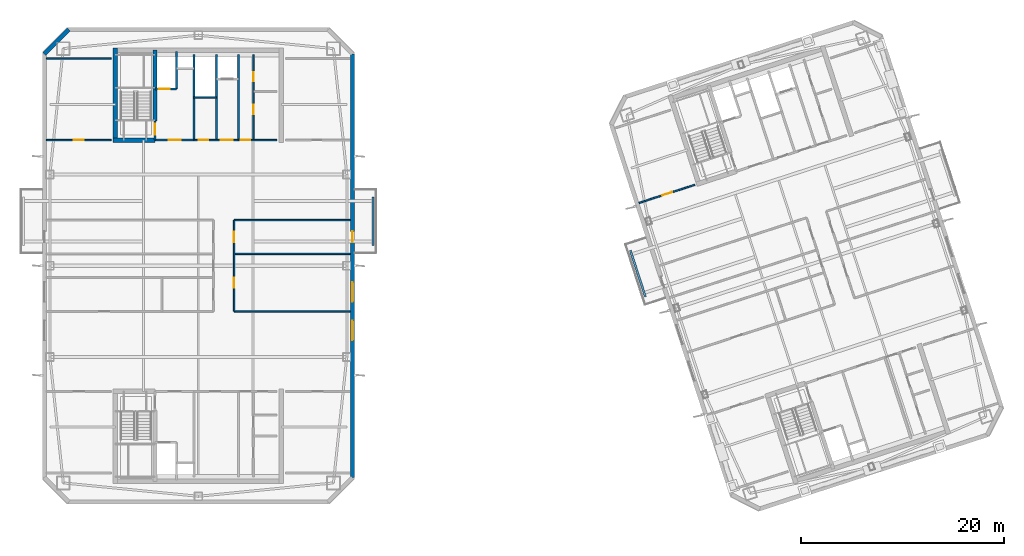
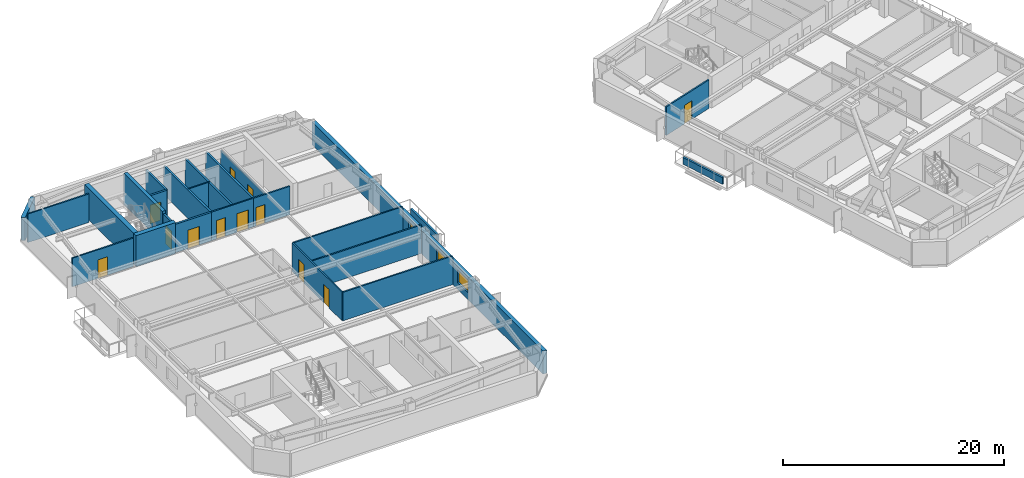
# One storey, part 7 of 18: 25 walls, 13 doors, 2 windows, 15 openings.
"""IFC4 building model written with IfcOpenShell, lengths in metres."""

from ifc_helpers import new_model, si_unit, direction, frame, frame_2d, origin, place, context, subcontext, project, spatial, rectangle, extrude, material, layer, layer_set, type_object, element, fill, save


model = new_model("IFC4")

# Units and contexts
model_context = context("Model", 3, precision=1e-05, world=origin(), true_north=direction((0.0, 1.0)))
body_context = subcontext(model_context, "Body", "Model", "MODEL_VIEW")
ifc_project = project(units=[si_unit("LENGTHUNIT", "METRE"), si_unit("AREAUNIT", "SQUARE_METRE"), si_unit("VOLUMEUNIT", "CUBIC_METRE"), si_unit("PLANEANGLEUNIT", "RADIAN"), si_unit("MASSUNIT", "GRAM", prefix="KILO")], contexts=[model_context])

# Site, building, storey
site_placement = place(None, origin())
site = spatial("IfcSite", under=ifc_project, at=site_placement, CompositionType="ELEMENT")
building_placement = place(site_placement, origin())
building = spatial("IfcBuilding", under=site, at=building_placement, Name="Qiaolan Cultural Towers", CompositionType="ELEMENT")
storey_placement = place(building_placement, frame((0.0, 0.0, 226.550048828125)))
storey = spatial("IfcBuildingStorey", under=building, at=storey_placement, Name="L61", CompositionType="ELEMENT", Elevation=226.550048828125)

# Walls
ifc_material_1 = material(Name="Concrete C50", Category="concrete")
ifc_layer_1 = layer(ifc_material_1, 0.35009765625)
ifc_layer_set_1 = layer_set([ifc_layer_1], Name="Concrete C50")
wall_type_1 = type_object("IfcWallType", Name="WL-CORE-350", PredefinedType="SHEAR", material=ifc_layer_set_1)
wall_1_placement = place(storey_placement, frame((25.719970703125, 48.300048828125, 0.0), z_axis=(0.0, 0.0, 1.0), x_axis=(0.0, 1.0, 0.0)))
element("IfcWall", 1, at=wall_1_placement, inside=storey, type_object=wall_type_1, Name="L61 T1-CN Stair Core Dividing Web", PredefinedType="SHEAR", context=body_context, shape_type="SweptSolid", body=[
    extrude(rectangle(XDim=6.97998046875, YDim=0.35009765625, at=frame_2d((3.489990234375, 0.0))), origin(), (0.0, 0.0, 1.0), 3.449951171875),
])
ifc_material_2 = material(Name="Concrete C50", Category="concrete")
ifc_layer_2 = layer(ifc_material_2, 0.449951171875)
ifc_layer_set_2 = layer_set([ifc_layer_2], Name="Concrete C50")
wall_type_2 = type_object("IfcWallType", Name="WL-CORE-450", PredefinedType="SHEAR", material=ifc_layer_set_2)
wall_2_placement = place(storey_placement, frame((21.800048828125, 46.175048828125, 0.0), z_axis=(0.0, 0.0, 1.0), x_axis=(0.0, 1.0, 0.0)))
element("IfcWall", 2, at=wall_2_placement, inside=storey, type_object=wall_type_2, Name="L61 T1-CN West Core Shear Wall", PredefinedType="SHEAR", context=body_context, shape_type="SweptSolid", body=[
    extrude(rectangle(XDim=9.329833984375, YDim=0.449951171875, at=frame_2d((4.6650390625, 0.0))), origin(), (0.0, 0.0, 1.0), 3.449951171875),
])
wall_3_placement = place(storey_placement, frame((21.574951171875, 46.39990234375, 0.0), z_axis=(0.0, 0.0, 1.0), x_axis=(1.0, 0.0, 0.0)))
element("IfcWall", 3, at=wall_3_placement, inside=storey, type_object=wall_type_2, Name="L61 T1-CN Stair Front Shear Wall", PredefinedType="SHEAR", context=body_context, shape_type="SweptSolid", body=[
    extrude(rectangle(XDim=4.14501953125, YDim=0.449951171875, at=frame_2d((2.072509765625, 0.0))), origin(), (0.0, 0.0, 1.0), 3.449951171875),
])
ifc_material_3 = material(Name="Precast Concrete C50 Honed Stone Pier", Category="masonry")
ifc_layer_3 = layer(ifc_material_3, 0.39990234375)
ifc_layer_set_3 = layer_set([ifc_layer_3], Name="Precast Concrete C50 Honed Stone Pier")
wall_type_3 = type_object("IfcWallType", Name="WL-EXT-PIER-400", PredefinedType="SOLIDWALL", material=ifc_layer_set_3)
wall_4_placement = place(storey_placement, frame((14.800048828125, 54.89990234375, 0.0), z_axis=(0.0, 0.0, 1.0), x_axis=(0.707070815327, 0.707142745217, 0.0)))
element("IfcWall", 4, at=wall_4_placement, inside=storey, type_object=wall_type_3, Name="L61 West Tower Precast Pier Facade Wall F2", PredefinedType="SOLIDWALL", context=body_context, shape_type="SweptSolid", body=[
    extrude(rectangle(XDim=3.39404296875, YDim=0.39990234375, at=frame_2d((1.697021484375, 0.0))), origin(), (0.0, 0.0, 1.0), 2.550048828125),
])

# Wall, openings, door, windows
wall_5_placement = place(storey_placement, frame((45.199951171875, 54.89990234375, 0.0), z_axis=(0.0, 0.0, 1.0), x_axis=(0.0, -1.0, 0.0)))
wall_5 = element("IfcWall", 5, at=wall_5_placement, inside=storey, type_object=wall_type_3, Name="L61 West Tower Precast Pier Facade Wall F5", PredefinedType="SOLIDWALL", context=body_context, shape_type="SweptSolid", body=[
    extrude(rectangle(XDim=41.7998046875, YDim=0.39990234375, at=frame_2d((20.89990234375, 0.0))), origin(), (0.0, 0.0, 1.0), 2.550048828125),
])
opening_1_placement = place(wall_5_placement, frame((26.324951171875, 0.0, 0.75)))
opening_1 = element("IfcOpeningElement", 6, at=opening_1_placement, cuts=wall_5, Name="Opening W-06", PredefinedType="OPENING", context=body_context, shape_type="SweptSolid", body=[
    extrude(rectangle(XDim=1.949951171875, YDim=1.39990234375, at=frame_2d((0.97509765625, 0.699951171875))), frame((0.0, 0.2099609375, 0.0), z_axis=(0.0, -1.0, 0.0), x_axis=(1.0, 0.0, 0.0)), (0.0, 0.0, 1.0), 0.419921875),
])
opening_2_placement = place(wall_5_placement, frame((22.52490234375, 0.0, 0.75)))
opening_2 = element("IfcOpeningElement", 7, at=opening_2_placement, cuts=wall_5, Name="Opening W-06", PredefinedType="OPENING", context=body_context, shape_type="SweptSolid", body=[
    extrude(rectangle(XDim=1.949951171875, YDim=1.39990234375, at=frame_2d((0.97509765625, 0.699951171875))), frame((0.0, 0.2099609375, 0.0), z_axis=(0.0, -1.0, 0.0), x_axis=(1.0, 0.0, 0.0)), (0.0, 0.0, 1.0), 0.419921875),
])
opening_3_placement = place(wall_5_placement, frame((17.5, 0.0, 0.0)))
opening_3 = element("IfcOpeningElement", 8, at=opening_3_placement, cuts=wall_5, Name="Opening BD-01", PredefinedType="OPENING", context=body_context, shape_type="SweptSolid", body=[
    extrude(rectangle(XDim=1.10009765625, YDim=2.14990234375, at=frame_2d((0.550048828125, 1.074951171875))), frame((0.0, 0.2099609375, 0.0), z_axis=(0.0, -1.0, 0.0), x_axis=(1.0, 0.0, 0.0)), (0.0, 0.0, 1.0), 0.419921875),
])
ifc_material_4 = material(Name="Thermally Broken Aluminium Glazed Terrace Door", Category="aluminium")
door_type_1 = type_object("IfcDoorType", Name="DR-BAL-1100", OperationType="NOTDEFINED", PredefinedType="DOOR", material=ifc_material_4)
door_1_placement = place(opening_3_placement, origin())
door_1 = element("IfcDoor", 9, at=door_1_placement, inside=storey, type_object=door_type_1, Name="L61 T1 East Tree Balcony Door", OperationType="SINGLE_SWING_RIGHT", OverallHeight=2.14990234375, OverallWidth=1.10009765625, PredefinedType="DOOR", context=body_context, shape_type="SweptSolid", body=[
    extrude(rectangle(XDim=1.10009765625, YDim=2.14990234375, at=frame_2d((0.550048828125, 1.074951171875))), frame((0.0, 0.02490234375, 0.0), z_axis=(0.0, -1.0, 0.0), x_axis=(1.0, 0.0, 0.0)), (0.0, 0.0, 1.0), 0.050048828125),
])
fill(opening_3, door_1)
ifc_material_5 = material(Name="Thermally Broken Aluminium Triple Low-E Glazing", Category="aluminium")
window_type = type_object("IfcWindowType", Name="WN-CHIC-1950", PartitioningType="SINGLE_PANEL", PredefinedType="WINDOW", material=ifc_material_5)
window_1_placement = place(opening_1_placement, origin())
window_1 = element("IfcWindow", 10, at=window_1_placement, inside=storey, type_object=window_type, Name="L61 T1 E Chicago Bay Window 1", OverallHeight=1.39990234375, OverallWidth=1.949951171875, PartitioningType="TRIPLE_PANEL_VERTICAL", PredefinedType="WINDOW", context=body_context, shape_type="SweptSolid", body=[
    extrude(rectangle(XDim=1.949951171875, YDim=1.39990234375, at=frame_2d((0.97509765625, 0.699951171875))), frame((0.0, 0.030029296875, 0.0), z_axis=(0.0, -1.0, 0.0), x_axis=(1.0, 0.0, 0.0)), (0.0, 0.0, 1.0), 0.06005859375),
])
fill(opening_1, window_1)
window_2_placement = place(opening_2_placement, origin())
window_2 = element("IfcWindow", 11, at=window_2_placement, inside=storey, type_object=window_type, Name="L61 T1 E Chicago Bay Window 2", OverallHeight=1.39990234375, OverallWidth=1.949951171875, PartitioningType="TRIPLE_PANEL_VERTICAL", PredefinedType="WINDOW", context=body_context, shape_type="SweptSolid", body=[
    extrude(rectangle(XDim=1.949951171875, YDim=1.39990234375, at=frame_2d((0.97509765625, 0.699951171875))), frame((0.0, 0.030029296875, 0.0), z_axis=(0.0, -1.0, 0.0), x_axis=(1.0, 0.0, 0.0)), (0.0, 0.0, 1.0), 0.06005859375),
])
fill(opening_2, window_2)

# Wall, opening, door
ifc_material_6 = material(Name="Concrete C35 Fire Wall", Category="concrete")
ifc_layer_4 = layer(ifc_material_6, 0.199951171875)
ifc_layer_set_4 = layer_set([ifc_layer_4], Name="Concrete C35 Fire Wall")
wall_type_4 = type_object("IfcWallType", Name="WL-FIRE-200", PredefinedType="PARTITIONING", material=ifc_layer_set_4)
wall_6_placement = place(storey_placement, frame((25.719970703125, 46.39990234375, 0.0), z_axis=(0.0, 0.0, 1.0), x_axis=(0.0, 1.0, 0.0)))
wall_6 = element("IfcWall", 12, at=wall_6_placement, inside=storey, type_object=wall_type_4, Name="L61 T1-CN Smokeproof Stair Entry Wall", PredefinedType="PARTITIONING", context=body_context, shape_type="SweptSolid", body=[
    extrude(rectangle(XDim=1.900146484375, YDim=0.199951171875, at=frame_2d((0.9501953125, 0.0))), origin(), (0.0, 0.0, 1.0), 3.155029296875),
])
opening_4_placement = place(wall_6_placement, frame((0.52001953125, 0.0, 0.0)))
opening_4 = element("IfcOpeningElement", 13, at=opening_4_placement, cuts=wall_6, Name="Opening FD-04", PredefinedType="OPENING", context=body_context, shape_type="SweptSolid", body=[
    extrude(rectangle(XDim=1.10009765625, YDim=2.050048828125, at=frame_2d((0.550048828125, 1.02490234375))), frame((0.0, 0.10986328125, 0.0), z_axis=(0.0, -1.0, 0.0), x_axis=(1.0, 0.0, 0.0)), (0.0, 0.0, 1.0), 0.219970703125),
])
ifc_material_7 = material(Name="Galvanized Steel Command Fire Door", Category="steel")
door_type_2 = type_object("IfcDoorType", Name="DR-FD90-1100", OperationType="NOTDEFINED", PredefinedType="DOOR", material=ifc_material_7)
door_2_placement = place(opening_4_placement, origin())
door_2 = element("IfcDoor", 14, at=door_2_placement, inside=storey, type_object=door_type_2, Name="L61 ST-W2 Smokeproof Stair Fire Door", OperationType="SINGLE_SWING_LEFT", OverallHeight=2.050048828125, OverallWidth=1.10009765625, PredefinedType="DOOR", context=body_context, shape_type="SweptSolid", body=[
    extrude(rectangle(XDim=1.10009765625, YDim=2.050048828125, at=frame_2d((0.550048828125, 1.02490234375))), frame((0.0, 0.02490234375, 0.0), z_axis=(0.0, -1.0, 0.0), x_axis=(1.0, 0.0, 0.0)), (0.0, 0.0, 1.0), 0.050048828125),
])
fill(opening_4, door_2)

# Wall
wall_7_placement = place(storey_placement, frame((29.550048828125, 46.39990234375, 0.0), z_axis=(0.0, 0.0, 1.0), x_axis=(0.0, 1.0, 0.0)))
element("IfcWall", 15, at=wall_7_placement, inside=storey, type_object=wall_type_4, Name="L61 T1-CN Firefighting Zone Wall", PredefinedType="PARTITIONING", context=body_context, shape_type="SweptSolid", body=[
    extrude(rectangle(XDim=8.43017578125, YDim=0.199951171875, at=frame_2d((4.215087890625, 0.0))), origin(), (0.0, 0.0, 1.0), 3.155029296875),
])

# Wall, opening, door
wall_8_placement = place(storey_placement, frame((25.719970703125, 46.39990234375, 0.0), z_axis=(0.0, 0.0, 1.0), x_axis=(1.0, 0.0, 0.0)))
wall_8 = element("IfcWall", 16, at=wall_8_placement, inside=storey, type_object=wall_type_4, Name="L61 T1-CN Firefighting Lobby Front Wall", PredefinedType="PARTITIONING", context=body_context, shape_type="SweptSolid", body=[
    extrude(rectangle(XDim=3.830078125, YDim=0.199951171875, at=frame_2d((1.9150390625, 0.0))), origin(), (0.0, 0.0, 1.0), 3.155029296875),
])
opening_5_placement = place(wall_8_placement, frame((1.35009765625, 0.0, 0.0)))
opening_5 = element("IfcOpeningElement", 17, at=opening_5_placement, cuts=wall_8, Name="Opening FD-03", PredefinedType="OPENING", context=body_context, shape_type="SweptSolid", body=[
    extrude(rectangle(XDim=1.199951171875, YDim=2.050048828125, at=frame_2d((0.60009765625, 1.02490234375))), frame((0.0, 0.10986328125, 0.0), z_axis=(0.0, -1.0, 0.0), x_axis=(1.0, 0.0, 0.0)), (0.0, 0.0, 1.0), 0.219970703125),
])
ifc_material_8 = material(Name="Galvanized Steel Smokeproof Lobby Fire Door", Category="steel")
door_type_3 = type_object("IfcDoorType", Name="DR-FD90-1200", OperationType="NOTDEFINED", PredefinedType="DOOR", material=ifc_material_8)
door_3_placement = place(opening_5_placement, origin())
door_3 = element("IfcDoor", 18, at=door_3_placement, inside=storey, type_object=door_type_3, Name="L61 FFL-W2 Firefighting Lobby Fire Door", OperationType="SINGLE_SWING_LEFT", OverallHeight=2.050048828125, OverallWidth=1.199951171875, PredefinedType="DOOR", context=body_context, shape_type="SweptSolid", body=[
    extrude(rectangle(XDim=1.199951171875, YDim=2.050048828125, at=frame_2d((0.60009765625, 1.02490234375))), frame((0.0, 0.02490234375, 0.0), z_axis=(0.0, -1.0, 0.0), x_axis=(1.0, 0.0, 0.0)), (0.0, 0.0, 1.0), 0.050048828125),
])
fill(opening_5, door_3)

wall_9_placement = place(storey_placement, frame((25.719970703125, 51.449951171875, 0.0), z_axis=(0.0, 0.0, 1.0), x_axis=(1.0, 0.0, 0.0)))
wall_9 = element("IfcWall", 19, at=wall_9_placement, inside=storey, type_object=wall_type_4, Name="L61 T1-CN Firefighting Shaft Front Wall", PredefinedType="PARTITIONING", context=body_context, shape_type="SweptSolid", body=[
    extrude(rectangle(XDim=2.10009765625, YDim=0.199951171875, at=frame_2d((1.050048828125, 0.0))), origin(), (0.0, 0.0, 1.0), 3.155029296875),
])
opening_6_placement = place(wall_9_placement, frame((0.35009765625, 0.0, 0.0)))
opening_6 = element("IfcOpeningElement", 20, at=opening_6_placement, cuts=wall_9, Name="Opening LD-01", PredefinedType="OPENING", context=body_context, shape_type="SweptSolid", body=[
    extrude(rectangle(XDim=1.10009765625, YDim=2.050048828125, at=frame_2d((0.550048828125, 1.02490234375))), frame((0.0, 0.10986328125, 0.0), z_axis=(0.0, -1.0, 0.0), x_axis=(1.0, 0.0, 0.0)), (0.0, 0.0, 1.0), 0.219970703125),
])
ifc_material_9 = material(Name="Brushed Stainless Steel S30408 Centre-Parting Lift Landing Door", Category="steel")
door_type_4 = type_object("IfcDoorType", Name="DR-LIFT-1100", OperationType="NOTDEFINED", PredefinedType="DOOR", material=ifc_material_9)
door_4_placement = place(opening_6_placement, origin())
door_4 = element("IfcDoor", 21, at=door_4_placement, inside=storey, type_object=door_type_4, Name="L61 FFL-W2 Firefighting Lift Landing Door", OperationType="DOUBLE_DOOR_SLIDING", OverallHeight=2.050048828125, OverallWidth=1.10009765625, PredefinedType="DOOR", context=body_context, shape_type="SweptSolid", body=[
    extrude(rectangle(XDim=1.10009765625, YDim=2.050048828125, at=frame_2d((0.550048828125, 1.02490234375))), frame((0.0, 0.02490234375, 0.0), z_axis=(0.0, -1.0, 0.0), x_axis=(1.0, 0.0, 0.0)), (0.0, 0.0, 1.0), 0.050048828125),
])
fill(opening_6, door_4)

# Walls
wall_10_placement = place(storey_placement, frame((27.820068359375, 51.449951171875, 0.0), z_axis=(0.0, 0.0, 1.0), x_axis=(0.0, 1.0, 0.0)))
element("IfcWall", 22, at=wall_10_placement, inside=storey, type_object=wall_type_4, Name="L61 T1-CN Firefighting Hoistway East Wall", PredefinedType="PARTITIONING", context=body_context, shape_type="SweptSolid", body=[
    extrude(rectangle(XDim=3.699951171875, YDim=0.199951171875, at=frame_2d((1.85009765625, 0.0))), origin(), (0.0, 0.0, 1.0), 3.155029296875),
])
for number, where, z_axis, x_axis, name in (
    (23, (33.949951171875, 46.39990234375, 0.0), (0.0, 0.0, 1.0), (0.0, 1.0, 0.0), "L61 T1-CN Lift Core East Wall"),
    (24, (31.780029296875, 46.39990234375, 0.0), (0.0, 0.0, 1.0), (0.0, 1.0, 0.0), "L61 T1-CN Sky Shuttle Lift Zone Wall"),
):
    element("IfcWall", number, at=place(storey_placement, frame(where, z_axis=z_axis, x_axis=x_axis)), inside=storey, type_object=wall_type_4, Name=name, PredefinedType="PARTITIONING", context=body_context, shape_type="SweptSolid", body=[
        extrude(rectangle(XDim=8.43017578125, YDim=0.199951171875, at=frame_2d((4.215087890625, 0.0))), origin(), (0.0, 0.0, 1.0), 3.155029296875),
    ])

# Wall, openings, doors
ifc_material_10 = material(Name="Autoclaved Aerated Concrete Block B06", Category="concrete")
ifc_layer_5 = layer(ifc_material_10, 0.14990234375)
ifc_layer_set_5 = layer_set([ifc_layer_5], Name="Autoclaved Aerated Concrete Block B06")
wall_type_5 = type_object("IfcWallType", Name="WL-PART-150", PredefinedType="PARTITIONING", material=ifc_layer_set_5)
wall_11_placement = place(storey_placement, frame((29.550048828125, 46.39990234375, 0.0), z_axis=(0.0, 0.0, 1.0), x_axis=(1.0, 0.0, 0.0)))
wall_11 = element("IfcWall", 25, at=wall_11_placement, inside=storey, type_object=wall_type_5, Name="L61 T1-CN High-Zone Lift Lobby Wall", PredefinedType="PARTITIONING", context=body_context, shape_type="SweptSolid", body=[
    extrude(rectangle(XDim=4.39990234375, YDim=0.14990234375, at=frame_2d((2.199951171875, 0.0))), origin(), (0.0, 0.0, 1.0), 3.155029296875),
])
opening_7_placement = place(wall_11_placement, frame((0.5, 0.0, 0.0)))
opening_7 = element("IfcOpeningElement", 26, at=opening_7_placement, cuts=wall_11, Name="Opening ID-05", PredefinedType="OPENING", context=body_context, shape_type="SweptSolid", body=[
    extrude(rectangle(XDim=0.949951171875, YDim=2.050048828125, at=frame_2d((0.47509765625, 1.02490234375))), frame((0.0, 0.0849609375, 0.0), z_axis=(0.0, -1.0, 0.0), x_axis=(1.0, 0.0, 0.0)), (0.0, 0.0, 1.0), 0.169921875),
])
opening_8_placement = place(wall_11_placement, frame((2.64990234375, 0.0, 0.0)))
opening_8 = element("IfcOpeningElement", 27, at=opening_8_placement, cuts=wall_11, Name="Opening FD-06", PredefinedType="OPENING", context=body_context, shape_type="SweptSolid", body=[
    extrude(rectangle(XDim=1.199951171875, YDim=2.050048828125, at=frame_2d((0.60009765625, 1.02490234375))), frame((0.0, 0.0849609375, 0.0), z_axis=(0.0, -1.0, 0.0), x_axis=(1.0, 0.0, 0.0)), (0.0, 0.0, 1.0), 0.169921875),
])
ifc_material_11 = material(Name="Painted Steel Plant Fire Door", Category="steel")
door_type_5 = type_object("IfcDoorType", Name="DR-FD60-1200", OperationType="NOTDEFINED", PredefinedType="DOOR", material=ifc_material_11)
door_5_placement = place(opening_8_placement, origin())
door_5 = element("IfcDoor", 28, at=door_5_placement, inside=storey, type_object=door_type_5, Name="L61 Sky Shuttle Lift Lobby Door", OperationType="SINGLE_SWING_RIGHT", OverallHeight=2.050048828125, OverallWidth=1.199951171875, PredefinedType="DOOR", context=body_context, shape_type="SweptSolid", body=[
    extrude(rectangle(XDim=1.199951171875, YDim=2.050048828125, at=frame_2d((0.60009765625, 1.02490234375))), frame((0.0, 0.02490234375, 0.0), z_axis=(0.0, -1.0, 0.0), x_axis=(1.0, 0.0, 0.0)), (0.0, 0.0, 1.0), 0.050048828125),
])
fill(opening_8, door_5)
ifc_material_12 = material(Name="Fire-Rated Laminate Accessible Core Door", Category="timber")
door_type_6 = type_object("IfcDoorType", Name="DR-INT-950", OperationType="NOTDEFINED", PredefinedType="DOOR", material=ifc_material_12)
door_6_placement = place(opening_7_placement, origin())
door_6 = element("IfcDoor", 29, at=door_6_placement, inside=storey, type_object=door_type_6, Name="L61 Reclaimed Server Room Door", OperationType="SINGLE_SWING_LEFT", OverallHeight=2.050048828125, OverallWidth=0.949951171875, PredefinedType="DOOR", context=body_context, shape_type="SweptSolid", body=[
    extrude(rectangle(XDim=0.949951171875, YDim=2.050048828125, at=frame_2d((0.47509765625, 1.02490234375))), frame((0.0, 0.02490234375, 0.0), z_axis=(0.0, -1.0, 0.0), x_axis=(1.0, 0.0, 0.0)), (0.0, 0.0, 1.0), 0.050048828125),
])
fill(opening_7, door_6)

# Wall
wall_12_placement = place(storey_placement, frame((29.550048828125, 50.60009765625, 0.0), z_axis=(0.0, 0.0, 1.0), x_axis=(1.0, 0.0, 0.0)))
element("IfcWall", 30, at=wall_12_placement, inside=storey, type_object=wall_type_5, Name="L61 T1-CN High-Zone Reclaimed Split", PredefinedType="PARTITIONING", context=body_context, shape_type="SweptSolid", body=[
    extrude(rectangle(XDim=2.22998046875, YDim=0.14990234375, at=frame_2d((1.114990234375, 0.0))), origin(), (0.0, 0.0, 1.0), 3.155029296875),
])

# Wall, opening, door
wall_13_placement = place(storey_placement, frame((33.949951171875, 46.39990234375, 0.0), z_axis=(0.0, 0.0, 1.0), x_axis=(1.0, 0.0, 0.0)))
wall_13 = element("IfcWall", 31, at=wall_13_placement, inside=storey, type_object=wall_type_5, Name="L61 T1-CN Sanitary Core Front Wall", PredefinedType="PARTITIONING", context=body_context, shape_type="SweptSolid", body=[
    extrude(rectangle(XDim=3.800048828125, YDim=0.14990234375, at=frame_2d((1.89990234375, 0.0))), origin(), (0.0, 0.0, 1.0), 3.155029296875),
])
opening_9_placement = place(wall_13_placement, frame((0.219970703125, 0.0, 0.0)))
opening_9 = element("IfcOpeningElement", 32, at=opening_9_placement, cuts=wall_13, Name="Opening ID-05", PredefinedType="OPENING", context=body_context, shape_type="SweptSolid", body=[
    extrude(rectangle(XDim=0.949951171875, YDim=2.050048828125, at=frame_2d((0.47509765625, 1.02490234375))), frame((0.0, 0.0849609375, 0.0), z_axis=(0.0, -1.0, 0.0), x_axis=(1.0, 0.0, 0.0)), (0.0, 0.0, 1.0), 0.169921875),
])
door_7_placement = place(opening_9_placement, origin())
door_7 = element("IfcDoor", 33, at=door_7_placement, inside=storey, type_object=door_type_6, Name="L61 Sanitary Lobby Door", OperationType="SINGLE_SWING_LEFT", OverallHeight=2.050048828125, OverallWidth=0.949951171875, PredefinedType="DOOR", context=body_context, shape_type="SweptSolid", body=[
    extrude(rectangle(XDim=0.949951171875, YDim=2.050048828125, at=frame_2d((0.47509765625, 1.02490234375))), frame((0.0, 0.02490234375, 0.0), z_axis=(0.0, -1.0, 0.0), x_axis=(1.0, 0.0, 0.0)), (0.0, 0.0, 1.0), 0.050048828125),
])
fill(opening_9, door_7)

# Wall, openings, doors
wall_14_placement = place(storey_placement, frame((35.449951171875, 46.39990234375, 0.0), z_axis=(0.0, 0.0, 1.0), x_axis=(0.0, 1.0, 0.0)))
wall_14 = element("IfcWall", 34, at=wall_14_placement, inside=storey, type_object=wall_type_5, Name="L61 T1-CN Washroom Split Wall", PredefinedType="PARTITIONING", context=body_context, shape_type="SweptSolid", body=[
    extrude(rectangle(XDim=8.43017578125, YDim=0.14990234375, at=frame_2d((4.215087890625, 0.0))), origin(), (0.0, 0.0, 1.0), 2.794921875),
])
opening_10_placement = place(wall_14_placement, frame((2.550048828125, 0.0, 0.0)))
opening_10 = element("IfcOpeningElement", 35, at=opening_10_placement, cuts=wall_14, Name="Opening ID-05", PredefinedType="OPENING", context=body_context, shape_type="SweptSolid", body=[
    extrude(rectangle(XDim=0.949951171875, YDim=2.050048828125, at=frame_2d((0.47509765625, 1.02490234375))), frame((0.0, 0.0849609375, 0.0), z_axis=(0.0, -1.0, 0.0), x_axis=(1.0, 0.0, 0.0)), (0.0, 0.0, 1.0), 0.169921875),
])
opening_11_placement = place(wall_14_placement, frame((5.800048828125, 0.0, 0.0)))
opening_11 = element("IfcOpeningElement", 36, at=opening_11_placement, cuts=wall_14, Name="Opening ID-06", PredefinedType="OPENING", context=body_context, shape_type="SweptSolid", body=[
    extrude(rectangle(XDim=0.89990234375, YDim=2.050048828125, at=frame_2d((0.449951171875, 1.02490234375))), frame((0.0, 0.0849609375, 0.0), z_axis=(0.0, -1.0, 0.0), x_axis=(1.0, 0.0, 0.0)), (0.0, 0.0, 1.0), 0.169921875),
])
ifc_material_13 = material(Name="Fire-Rated Laminate Core Service Door", Category="timber")
door_type_7 = type_object("IfcDoorType", Name="DR-INT-900", OperationType="NOTDEFINED", PredefinedType="DOOR", material=ifc_material_13)
door_8_placement = place(opening_11_placement, origin())
door_8 = element("IfcDoor", 37, at=door_8_placement, inside=storey, type_object=door_type_7, Name="L61 First-Aid Room Door", OperationType="SINGLE_SWING_RIGHT", OverallHeight=2.050048828125, OverallWidth=0.89990234375, PredefinedType="DOOR", context=body_context, shape_type="SweptSolid", body=[
    extrude(rectangle(XDim=0.89990234375, YDim=2.050048828125, at=frame_2d((0.449951171875, 1.02490234375))), frame((0.0, 0.02490234375, 0.0), z_axis=(0.0, -1.0, 0.0), x_axis=(1.0, 0.0, 0.0)), (0.0, 0.0, 1.0), 0.050048828125),
])
fill(opening_11, door_8)
door_9_placement = place(opening_10_placement, origin())
door_9 = element("IfcDoor", 38, at=door_9_placement, inside=storey, type_object=door_type_6, Name="L61 Accessible Washroom Door", OperationType="SINGLE_SWING_LEFT", OverallHeight=2.050048828125, OverallWidth=0.949951171875, PredefinedType="DOOR", context=body_context, shape_type="SweptSolid", body=[
    extrude(rectangle(XDim=0.949951171875, YDim=2.050048828125, at=frame_2d((0.47509765625, 1.02490234375))), frame((0.0, 0.02490234375, 0.0), z_axis=(0.0, -1.0, 0.0), x_axis=(1.0, 0.0, 0.0)), (0.0, 0.0, 1.0), 0.050048828125),
])
fill(opening_10, door_9)

# Wall
wall_15_placement = place(storey_placement, frame((15.0, 54.449951171875, 0.0), z_axis=(0.0, 0.0, 1.0), x_axis=(1.0, 0.0, 0.0)))
element("IfcWall", 39, at=wall_15_placement, inside=storey, type_object=wall_type_5, Name="L61 T1 Flank Wall FLK-NW", PredefinedType="PARTITIONING", context=body_context, shape_type="SweptSolid", body=[
    extrude(rectangle(XDim=6.39990234375, YDim=0.14990234375, at=frame_2d((3.199951171875, 0.0))), origin(), (0.0, 0.0, 1.0), 3.155029296875),
])

# Wall, opening, door
wall_16_placement = place(storey_placement, frame((15.0, 46.39990234375, 0.0), z_axis=(0.0, 0.0, 1.0), x_axis=(1.0, 0.0, 0.0)))
wall_16 = element("IfcWall", 40, at=wall_16_placement, inside=storey, type_object=wall_type_5, Name="L61 T1 Flank Front FLK-NW", PredefinedType="PARTITIONING", context=body_context, shape_type="SweptSolid", body=[
    extrude(rectangle(XDim=6.39990234375, YDim=0.14990234375, at=frame_2d((3.199951171875, 0.0))), origin(), (0.0, 0.0, 1.0), 3.155029296875),
])
opening_12_placement = place(wall_16_placement, frame((2.68798828125, 0.0, 0.0)))
opening_12 = element("IfcOpeningElement", 41, at=opening_12_placement, cuts=wall_16, Name="Opening ID-04", PredefinedType="OPENING", context=body_context, shape_type="SweptSolid", body=[
    extrude(rectangle(XDim=1.0, YDim=2.050048828125, at=frame_2d((0.5, 1.02490234375))), frame((0.0, 0.0849609375, 0.0), z_axis=(0.0, -1.0, 0.0), x_axis=(1.0, 0.0, 0.0)), (0.0, 0.0, 1.0), 0.169921875),
])
ifc_material_14 = material(Name="Oak Veneer Acoustic Office Door", Category="timber")
door_type_8 = type_object("IfcDoorType", Name="DR-INT-1000", OperationType="NOTDEFINED", PredefinedType="DOOR", material=ifc_material_14)
door_10_placement = place(opening_12_placement, origin())
door_10 = element("IfcDoor", 42, at=door_10_placement, inside=storey, type_object=door_type_8, Name="L61 T1 Corner Studio Door", OperationType="SINGLE_SWING_LEFT", OverallHeight=2.050048828125, OverallWidth=1.0, PredefinedType="DOOR", context=body_context, shape_type="SweptSolid", body=[
    extrude(rectangle(XDim=1.0, YDim=2.050048828125, at=frame_2d((0.5, 1.02490234375))), frame((0.0, 0.02490234375, 0.0), z_axis=(0.0, -1.0, 0.0), x_axis=(1.0, 0.0, 0.0)), (0.0, 0.0, 1.0), 0.050048828125),
])
fill(opening_12, door_10)

# Walls
for number, where, z_axis, x_axis, name in (
    (43, (33.52490234375, 29.5, 0.0), (0.0, 0.0, 1.0), (1.0, 0.0, 0.0), "L61 T1 South Foyer East Wall"),
    (44, (33.52490234375, 38.5, 0.0), (0.0, 0.0, 1.0), (1.0, 0.0, 0.0), "L61 T1 North Foyer East Wall"),
):
    element("IfcWall", number, at=place(storey_placement, frame(where, z_axis=z_axis, x_axis=x_axis)), inside=storey, type_object=wall_type_5, Name=name, PredefinedType="PARTITIONING", context=body_context, shape_type="SweptSolid", body=[
        extrude(rectangle(XDim=11.47509765625, YDim=0.14990234375, at=frame_2d((5.737548828125, 0.0))), origin(), (0.0, 0.0, 1.0), 3.155029296875),
    ])

# Wall, openings, doors
wall_17_placement = place(storey_placement, frame((33.52490234375, 29.5, 0.0), z_axis=(0.0, 0.0, 1.0), x_axis=(0.0, 1.0, 0.0)))
wall_17 = element("IfcWall", 45, at=wall_17_placement, inside=storey, type_object=wall_type_5, Name="L61 T1 Central Spine East Wall", PredefinedType="PARTITIONING", context=body_context, shape_type="SweptSolid", body=[
    extrude(rectangle(XDim=9.0, YDim=0.14990234375, at=frame_2d((4.5, 0.0))), origin(), (0.0, 0.0, 1.0), 3.155029296875),
])
opening_13_placement = place(wall_17_placement, frame((2.3349609375, 0.0, 0.0)))
opening_13 = element("IfcOpeningElement", 46, at=opening_13_placement, cuts=wall_17, Name="Opening ID-04", PredefinedType="OPENING", context=body_context, shape_type="SweptSolid", body=[
    extrude(rectangle(XDim=1.0, YDim=2.050048828125, at=frame_2d((0.5, 1.02490234375))), frame((0.0, 0.0849609375, 0.0), z_axis=(0.0, -1.0, 0.0), x_axis=(1.0, 0.0, 0.0)), (0.0, 0.0, 1.0), 0.169921875),
])
opening_14_placement = place(wall_17_placement, frame((6.8349609375, 0.0, 0.0)))
opening_14 = element("IfcOpeningElement", 47, at=opening_14_placement, cuts=wall_17, Name="Opening ID-04", PredefinedType="OPENING", context=body_context, shape_type="SweptSolid", body=[
    extrude(rectangle(XDim=1.0, YDim=2.050048828125, at=frame_2d((0.5, 1.02490234375))), frame((0.0, 0.0849609375, 0.0), z_axis=(0.0, -1.0, 0.0), x_axis=(1.0, 0.0, 0.0)), (0.0, 0.0, 1.0), 0.169921875),
])
door_11_placement = place(opening_13_placement, origin())
door_11 = element("IfcDoor", 48, at=door_11_placement, inside=storey, type_object=door_type_8, Name="L61 T1 Board Conference Room Door", OperationType="SINGLE_SWING_RIGHT", OverallHeight=2.050048828125, OverallWidth=1.0, PredefinedType="DOOR", context=body_context, shape_type="SweptSolid", body=[
    extrude(rectangle(XDim=1.0, YDim=2.050048828125, at=frame_2d((0.5, 1.02490234375))), frame((0.0, 0.02490234375, 0.0), z_axis=(0.0, -1.0, 0.0), x_axis=(1.0, 0.0, 0.0)), (0.0, 0.0, 1.0), 0.050048828125),
])
fill(opening_13, door_11)
door_12_placement = place(opening_14_placement, origin())
door_12 = element("IfcDoor", 49, at=door_12_placement, inside=storey, type_object=door_type_8, Name="L61 T1 Executive Lounge Door", OperationType="SINGLE_SWING_LEFT", OverallHeight=2.050048828125, OverallWidth=1.0, PredefinedType="DOOR", context=body_context, shape_type="SweptSolid", body=[
    extrude(rectangle(XDim=1.0, YDim=2.050048828125, at=frame_2d((0.5, 1.02490234375))), frame((0.0, 0.02490234375, 0.0), z_axis=(0.0, -1.0, 0.0), x_axis=(1.0, 0.0, 0.0)), (0.0, 0.0, 1.0), 0.050048828125),
])
fill(opening_14, door_12)

# Wall
wall_18_placement = place(storey_placement, frame((33.52490234375, 35.169921875, 0.0), z_axis=(0.0, 0.0, 1.0), x_axis=(1.0, 0.0, 0.0)))
element("IfcWall", 50, at=wall_18_placement, inside=storey, type_object=wall_type_5, Name="L61 T1 Interior Wall", PredefinedType="PARTITIONING", context=body_context, shape_type="SweptSolid", body=[
    extrude(rectangle(XDim=11.47509765625, YDim=0.14990234375, at=frame_2d((5.737548828125, 0.0))), origin(), (0.0, 0.0, 1.0), 3.155029296875),
])

# Wall, opening, door
wall_19_placement = place(storey_placement, frame((73.476318359375, 40.197265625, 0.0), z_axis=(0.0, 0.0, 1.0), x_axis=(0.951059431056, 0.309008023519, 0.0)))
wall_19 = element("IfcWall", 51, at=wall_19_placement, inside=storey, type_object=wall_type_5, Name="L61 T2 Flank Front FLK-NW", PredefinedType="PARTITIONING", context=body_context, shape_type="SweptSolid", body=[
    extrude(rectangle(XDim=5.800048828125, YDim=0.14990234375, at=frame_2d((2.89990234375, 0.0))), origin(), (0.0, 0.0, 1.0), 3.155029296875),
])
opening_15_placement = place(wall_19_placement, frame((2.43603515625, 0.0, 0.0)))
opening_15 = element("IfcOpeningElement", 52, at=opening_15_placement, cuts=wall_19, Name="Opening ID-04", PredefinedType="OPENING", context=body_context, shape_type="SweptSolid", body=[
    extrude(rectangle(XDim=1.0, YDim=2.050048828125, at=frame_2d((0.5, 1.02490234375))), frame((0.0, 0.0849609375, 0.0), z_axis=(0.0, -1.0, 0.0), x_axis=(1.0, 0.0, 0.0)), (0.0, 0.0, 1.0), 0.169921875),
])
door_13_placement = place(opening_15_placement, origin())
door_13 = element("IfcDoor", 53, at=door_13_placement, inside=storey, type_object=door_type_8, Name="L61 T2 Corner Studio Door", OperationType="SINGLE_SWING_LEFT", OverallHeight=2.050048828125, OverallWidth=1.0, PredefinedType="DOOR", context=body_context, shape_type="SweptSolid", body=[
    extrude(rectangle(XDim=1.0, YDim=2.050048828125, at=frame_2d((0.5, 1.02490234375))), frame((0.0, 0.02490234375, 0.0), z_axis=(0.0, -1.0, 0.0), x_axis=(1.0, 0.0, 0.0)), (0.0, 0.0, 1.0), 0.050048828125),
])
fill(opening_15, door_13)

# Walls
ifc_material_15 = material(Name="Precast Concrete C45 Tree Planter Upstand", Category="concrete")
ifc_layer_6 = layer(ifc_material_15, 0.199951171875)
ifc_layer_set_6 = layer_set([ifc_layer_6], Name="Precast Concrete C45 Tree Planter Upstand")
wall_type_6 = type_object("IfcWallType", Name="WL-PLANTER-200", PredefinedType="PARAPET", material=ifc_layer_set_6)
for number, where, z_axis, x_axis, name in (
    (54, (47.25, 36.0, 0.0), (0.0, 0.0, 1.0), (0.0, 1.0, 0.0), "L61 T1 Tree Balcony Soil Planter Box E"),
    (55, (74.117431640625, 30.9423828125, 0.0), (0.0, 0.0, 1.0), (-0.308986014439, 0.951066581729, 0.0), "L61 T2 Tree Balcony Soil Planter Box W"),
):
    element("IfcWall", number, at=place(storey_placement, frame(where, z_axis=z_axis, x_axis=x_axis)), inside=storey, type_object=wall_type_6, Name=name, PredefinedType="PARAPET", context=body_context, shape_type="SweptSolid", body=[
        extrude(rectangle(XDim=4.800048828125, YDim=0.199951171875, at=frame_2d((2.39990234375, 0.0))), origin(), (0.0, 0.0, 1.0), 0.75),
    ])

save(model, "model.ifc")
